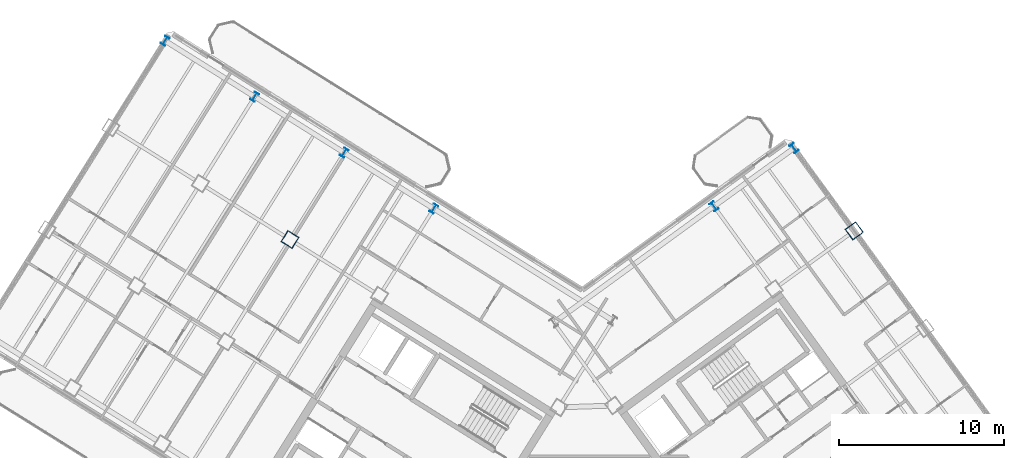
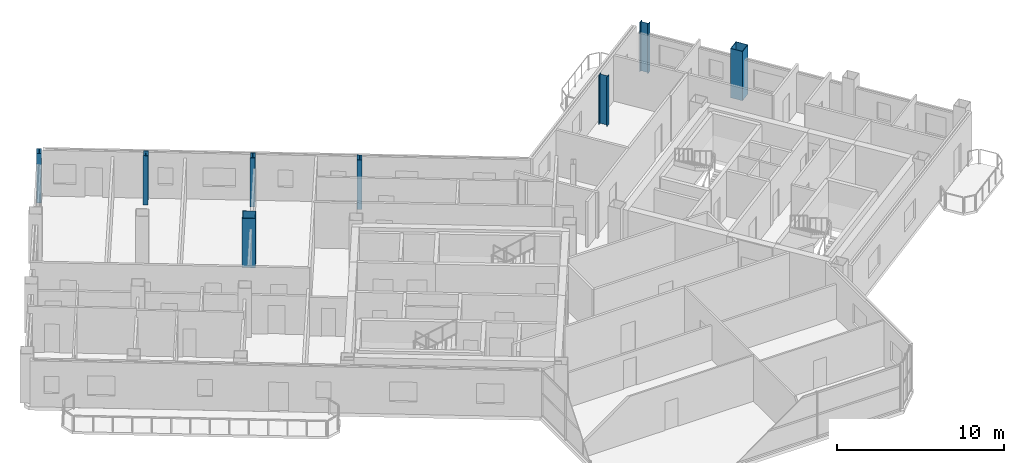
# One storey, part 3 of 21: 8 columns.
"""IFC4 building model written with IfcOpenShell, lengths in metres."""

from ifc_helpers import new_model, si_unit, direction, frame, origin, origin_2d, place, context, subcontext, project, spatial, hollow_rectangle, i_section, extrude, source, transform, mapped, material, material_profile, profile_set, type_object, element, save


model = new_model("IFC4")

# Units and contexts
model_context = context("Model", 3, precision=1e-05, world=origin(), true_north=direction((0.0, 1.0)))
body_context = subcontext(model_context, "Body", "Model", "MODEL_VIEW")
ifc_project = project(units=[si_unit("LENGTHUNIT", "METRE"), si_unit("AREAUNIT", "SQUARE_METRE"), si_unit("VOLUMEUNIT", "CUBIC_METRE"), si_unit("PLANEANGLEUNIT", "RADIAN"), si_unit("MASSUNIT", "GRAM", prefix="KILO")], contexts=[model_context])

# Site, building, storey
site_placement = place(None, origin())
site = spatial("IfcSite", under=ifc_project, at=site_placement, CompositionType="ELEMENT")
building_placement = place(site_placement, origin())
building = spatial("IfcBuilding", under=site, at=building_placement, Name="Tlacorven Tower", CompositionType="ELEMENT")
storey_placement = place(building_placement, frame((0.0, 0.0, 214.800048828125)))
storey = spatial("IfcBuildingStorey", under=building, at=storey_placement, Name="L54", CompositionType="ELEMENT", Elevation=214.800048828125)

# Columns
ifc_material = material(Name="Steel S460M", Category="steel")
ifc_material_profile_1 = material_profile(ifc_material, i_section(OverallWidth=0.300048828125, OverallDepth=0.550048828125, WebThickness=0.014892578125, FlangeThickness=0.029052734375, at=origin_2d()), Name="HEB 550")
ifc_profile_set_1 = profile_set([ifc_material_profile_1], Name="Steel S460M")
column_type_1 = type_object("IfcColumnType", Name="COL-TWR-P2", PredefinedType="COLUMN", material=ifc_profile_set_1)
shared_shape_1 = source(origin(), body_context, "Body", "SweptSolid", [
    extrude(i_section(OverallWidth=0.300048828125, OverallDepth=0.550048828125, WebThickness=0.014892578125, FlangeThickness=0.029052734375, at=origin_2d()), origin(), (0.0, 0.0, 1.0), 3.599853515625),
])
for number, where, z_axis, x_axis, name in (
    (1, (33.21337890625, 36.50927734375, 0.0), (0.0, 0.0, 1.0), (-0.848048096156, 0.529919264233, 0.0), "L54 column COL-L54-W3-1"),
    (2, (27.785888671875, 39.900634765625, 0.0), (0.0, 0.0, 1.0), (-0.848048096156, 0.529919264233, 0.0), "L54 column COL-L54-W4-1"),
    (3, (22.3583984375, 43.292236328125, 0.0), (0.0, 0.0, 1.0), (-0.848048096156, 0.529919264233, 0.0), "L54 column COL-L54-W5-1"),
    (4, (16.930908203125, 46.68359375, 0.0), (0.0, 0.0, 1.0), (-0.848048096156, 0.529919264233, 0.0), "L54 column COL-L54-W6-1"),
    (5, (50.187744140625, 36.654296875, 0.0), (0.0, 0.0, 1.0), (0.809016994375, 0.587785252292, 0.0), "L54 column COL-L54-E3-4"),
    (6, (55.041748046875, 40.18115234375, 0.0), (0.0, 0.0, 1.0), (0.809016994375, 0.587785252292, 0.0), "L54 column COL-L54-E4-4"),
):
    element("IfcColumn", number, at=place(storey_placement, frame(where, z_axis=z_axis, x_axis=x_axis)), inside=storey, type_object=column_type_1, Name=name, PredefinedType="COLUMN", context=body_context, shape_type="MappedRepresentation", body=[
        mapped(shared_shape_1, transform((0.0, 0.0, 0.0), scale=1.0)),
    ])
ifc_material_profile_2 = material_profile(ifc_material, hollow_rectangle(XDim=0.800048828125, YDim=0.800048828125, WallThickness=0.031982421875, at=origin_2d()), Name="BOX 800X800X32")
ifc_profile_set_2 = profile_set([ifc_material_profile_2], Name="Steel S460M")
column_type_2 = type_object("IfcColumnType", Name="COL-TWR-S3", PredefinedType="COLUMN", material=ifc_profile_set_2)
shared_shape_2 = source(origin(), body_context, "Body", "SweptSolid", [
    extrude(hollow_rectangle(XDim=0.800048828125, YDim=0.800048828125, WallThickness=0.031982421875, at=origin_2d()), origin(), (0.0, 0.0, 1.0), 3.599853515625),
])
for number, where, z_axis, x_axis, name in (
    (7, (24.50048828125, 34.642822265625, 0.0), (0.0, 0.0, 1.0), (-0.848048096156, 0.529919264233, 0.0), "L54 column COL-L54-W4-2"),
    (8, (58.68603515625, 35.165283203125, 0.0), (0.0, 0.0, 1.0), (0.809016994375, 0.587785252292, 0.0), "L54 column COL-L54-E4-3"),
):
    element("IfcColumn", number, at=place(storey_placement, frame(where, z_axis=z_axis, x_axis=x_axis)), inside=storey, type_object=column_type_2, Name=name, PredefinedType="COLUMN", context=body_context, shape_type="MappedRepresentation", body=[
        mapped(shared_shape_2, transform((0.0, 0.0, 0.0), scale=1.0)),
    ])

save(model, "model.ifc")
